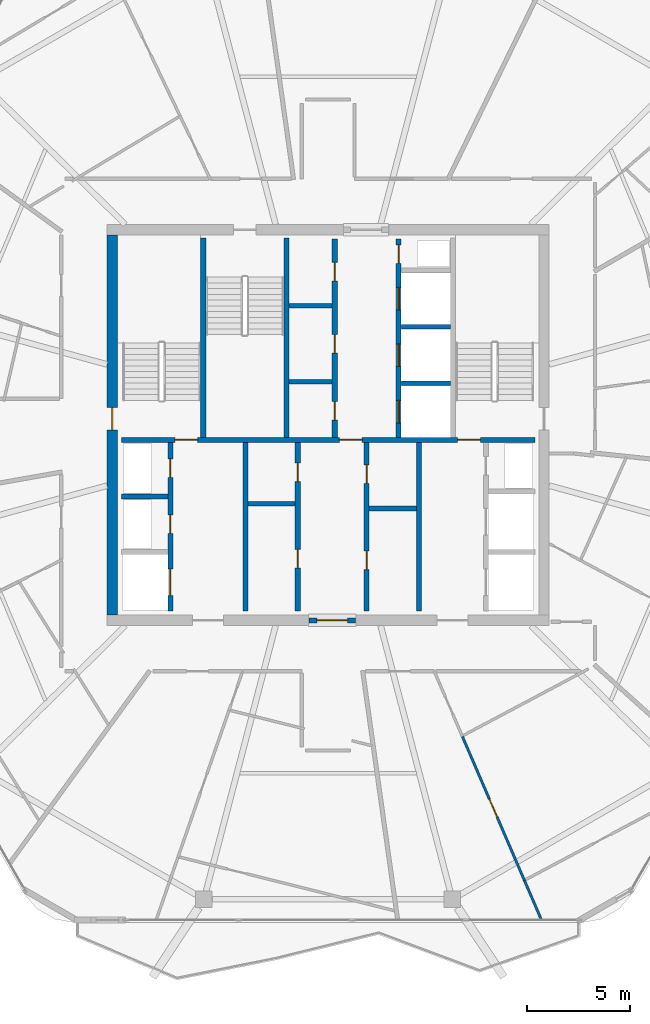
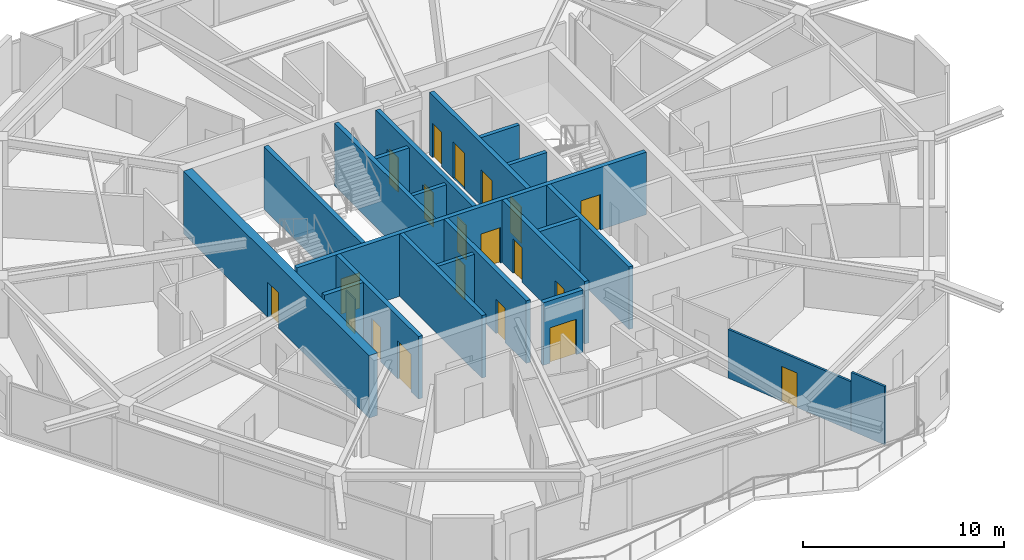
# One storey, part 15 of 20: 21 walls, 20 doors, 20 openings.
"""IFC4 building model written with IfcOpenShell, lengths in metres."""

from ifc_helpers import new_model, si_unit, direction, frame, frame_2d, origin, place, context, subcontext, project, spatial, rectangle, extrude, material, layer, layer_set, type_object, element, fill, save


model = new_model("IFC4")

# Units and contexts
model_context = context("Model", 3, precision=1e-05, world=origin(), true_north=direction((0.0, 1.0)))
body_context = subcontext(model_context, "Body", "Model", "MODEL_VIEW")
ifc_project = project(units=[si_unit("LENGTHUNIT", "METRE"), si_unit("AREAUNIT", "SQUARE_METRE"), si_unit("VOLUMEUNIT", "CUBIC_METRE"), si_unit("PLANEANGLEUNIT", "RADIAN"), si_unit("MASSUNIT", "GRAM", prefix="KILO")], contexts=[model_context])

# Site, building, storey
site_placement = place(None, origin())
site = spatial("IfcSite", under=ifc_project, at=site_placement, CompositionType="ELEMENT")
building_placement = place(site_placement, origin())
building = spatial("IfcBuilding", under=site, at=building_placement, Name="Zuhravey Tower", CompositionType="ELEMENT")
storey_placement = place(building_placement, frame((0.0, 0.0, 312.0)))
storey = spatial("IfcBuildingStorey", under=building, at=storey_placement, Name="L79", CompositionType="ELEMENT", Elevation=312.0)

# Wall, opening, door
ifc_material_1 = material(Name="Concrete C50/60", Category="concrete")
ifc_layer_1 = layer(ifc_material_1, 0.5)
ifc_layer_set_1 = layer_set([ifc_layer_1], Name="Concrete C50/60")
wall_type_1 = type_object("IfcWallType", Name="Core Shear Wall 500", PredefinedType="SHEAR", material=ifc_layer_set_1)
wall_1_placement = place(storey_placement, frame((25.5, 22.75, 0.0), z_axis=(0.0, 0.0, 1.0), x_axis=(0.0, 1.0, 0.0)))
wall_1 = element("IfcWall", 1, at=wall_1_placement, inside=storey, type_object=wall_type_1, Name="L79 West Core Shear Wall CW50", PredefinedType="SHEAR", context=body_context, shape_type="SweptSolid", body=[
    extrude(rectangle(XDim=18.5, YDim=0.5, at=frame_2d((9.25, 0.0))), origin(), (0.0, 0.0, 1.0), 3.800048828125),
])
opening_1_placement = place(wall_1_placement, frame((9.0, 0.0, 0.0)))
opening_1 = element("IfcOpeningElement", 2, at=opening_1_placement, cuts=wall_1, Name="Opening STD1", PredefinedType="OPENING", context=body_context, shape_type="SweptSolid", body=[
    extrude(rectangle(XDim=1.10009765625, YDim=2.14990234375, at=frame_2d((0.550048828125, 1.074951171875))), frame((0.0, 0.261962890625, 0.0), z_axis=(0.0, -1.0, 0.0), x_axis=(1.0, 0.0, 0.0)), (0.0, 0.0, 1.0), 0.52392578125),
])
ifc_material_2 = material(Name="Galvanised fire-rated steel leaf", Category="steel")
door_type_1 = type_object("IfcDoorType", Name="Protected Stair Fire Door 1100x2150", OperationType="NOTDEFINED", PredefinedType="USERDEFINED", material=ifc_material_2)
door_1_placement = place(opening_1_placement, frame((1.10009765625, 0.0, 0.0), z_axis=(0.0, 0.0, 1.0), x_axis=(-1.0, 0.0, 0.0)))
door_1 = element("IfcDoor", 3, at=door_1_placement, inside=storey, type_object=door_type_1, Name="L79 Stair ST1 Door", ObjectType="EXITDOOR", OperationType="SINGLE_SWING_LEFT", OverallHeight=2.14990234375, OverallWidth=1.10009765625, PredefinedType="USERDEFINED", context=body_context, shape_type="SweptSolid", body=[
    extrude(rectangle(XDim=1.10009765625, YDim=2.14990234375, at=frame_2d((0.550048828125, 1.074951171875))), frame((0.0, 0.02490234375, 0.0), z_axis=(0.0, -1.0, 0.0), x_axis=(1.0, 0.0, 0.0)), (0.0, 0.0, 1.0), 0.050048828125),
])
fill(opening_1, door_1)

ifc_layer_2 = layer(ifc_material_1, 0.25)
ifc_layer_set_2 = layer_set([ifc_layer_2], Name="Concrete C50/60")
wall_type_2 = type_object("IfcWallType", Name="Firefighting Shaft & Stair Wall 250", PredefinedType="SOLIDWALL", material=ifc_layer_set_2)
wall_2_placement = place(storey_placement, frame((35.06005859375, 22.5, 0.0), z_axis=(0.0, 0.0, 1.0), x_axis=(1.0, 0.0, 0.0)))
wall_2 = element("IfcWall", 4, at=wall_2_placement, inside=storey, type_object=wall_type_2, Name="L79 FW25 Shaft Wall 001", PredefinedType="SOLIDWALL", context=body_context, shape_type="SweptSolid", body=[
    extrude(rectangle(XDim=2.280029296875, YDim=0.25, at=frame_2d((1.14013671875, 0.0))), origin(), (0.0, 0.0, 1.0), 3.800048828125),
])
opening_2_placement = place(wall_2_placement, frame((0.389892578125, 0.0, 0.0)))
opening_2 = element("IfcOpeningElement", 5, at=opening_2_placement, cuts=wall_2, Name="Opening FFD1", PredefinedType="OPENING", context=body_context, shape_type="SweptSolid", body=[
    extrude(rectangle(XDim=1.5, YDim=2.14990234375, at=frame_2d((0.75, 1.074951171875))), frame((0.0, 0.136962890625, 0.0), z_axis=(0.0, -1.0, 0.0), x_axis=(1.0, 0.0, 0.0)), (0.0, 0.0, 1.0), 0.27392578125),
])
door_type_2 = type_object("IfcDoorType", Name="Firefighting Lobby Double Door 1500x2150", OperationType="DOUBLE_DOOR_SINGLE_SWING", PredefinedType="DOOR", material=ifc_material_2)
door_2_placement = place(opening_2_placement, frame((1.5, 0.0, 0.0), z_axis=(0.0, 0.0, 1.0), x_axis=(-1.0, 0.0, 0.0)))
door_2 = element("IfcDoor", 6, at=door_2_placement, inside=storey, type_object=door_type_2, Name="L79 South Lift Lobby Exit Door", OperationType="DOUBLE_DOOR_SINGLE_SWING", OverallHeight=2.14990234375, OverallWidth=1.5, PredefinedType="DOOR", context=body_context, shape_type="SweptSolid", body=[
    extrude(rectangle(XDim=1.5, YDim=2.14990234375, at=frame_2d((0.75, 1.074951171875))), frame((0.0, 0.02490234375, 0.0), z_axis=(0.0, -1.0, 0.0), x_axis=(1.0, 0.0, 0.0)), (0.0, 0.0, 1.0), 0.050048828125),
])
fill(opening_2, door_2)

# Wall, openings, doors
wall_3_placement = place(storey_placement, frame((25.949951171875, 31.27490234375, 0.0), z_axis=(0.0, 0.0, 1.0), x_axis=(1.0, 0.0, 0.0)))
wall_3 = element("IfcWall", 7, at=wall_3_placement, inside=storey, type_object=wall_type_2, Name="L79 FW25 Shaft Wall 003", PredefinedType="SOLIDWALL", context=body_context, shape_type="SweptSolid", body=[
    extrude(rectangle(XDim=20.10009765625, YDim=0.25, at=frame_2d((10.050048828125, 0.0))), origin(), (0.0, 0.0, 1.0), 3.800048828125),
])
opening_3_placement = place(wall_3_placement, frame((2.60009765625, 0.0, 0.0)))
opening_3 = element("IfcOpeningElement", 8, at=opening_3_placement, cuts=wall_3, Name="Opening STD1", PredefinedType="OPENING", context=body_context, shape_type="SweptSolid", body=[
    extrude(rectangle(XDim=1.10009765625, YDim=2.14990234375, at=frame_2d((0.550048828125, 1.074951171875))), frame((0.0, 0.136962890625, 0.0), z_axis=(0.0, -1.0, 0.0), x_axis=(1.0, 0.0, 0.0)), (0.0, 0.0, 1.0), 0.27392578125),
])
opening_4_placement = place(wall_3_placement, frame((10.60009765625, 0.0, 0.0)))
opening_4 = element("IfcOpeningElement", 9, at=opening_4_placement, cuts=wall_3, Name="Opening STD1", PredefinedType="OPENING", context=body_context, shape_type="SweptSolid", body=[
    extrude(rectangle(XDim=1.10009765625, YDim=2.14990234375, at=frame_2d((0.550048828125, 1.074951171875))), frame((0.0, 0.136962890625, 0.0), z_axis=(0.0, -1.0, 0.0), x_axis=(1.0, 0.0, 0.0)), (0.0, 0.0, 1.0), 0.27392578125),
])
opening_5_placement = place(wall_3_placement, frame((16.35009765625, 0.0, 0.0)))
opening_5 = element("IfcOpeningElement", 10, at=opening_5_placement, cuts=wall_3, Name="Opening STD1", PredefinedType="OPENING", context=body_context, shape_type="SweptSolid", body=[
    extrude(rectangle(XDim=1.10009765625, YDim=2.14990234375, at=frame_2d((0.550048828125, 1.074951171875))), frame((0.0, 0.136962890625, 0.0), z_axis=(0.0, -1.0, 0.0), x_axis=(1.0, 0.0, 0.0)), (0.0, 0.0, 1.0), 0.27392578125),
])
door_3_placement = place(opening_3_placement, origin())
door_3 = element("IfcDoor", 11, at=door_3_placement, inside=storey, type_object=door_type_1, Name="L79 FFL-W to ST1 Door", ObjectType="EXITDOOR", OperationType="SINGLE_SWING_RIGHT", OverallHeight=2.14990234375, OverallWidth=1.10009765625, PredefinedType="USERDEFINED", context=body_context, shape_type="SweptSolid", body=[
    extrude(rectangle(XDim=1.10009765625, YDim=2.14990234375, at=frame_2d((0.550048828125, 1.074951171875))), frame((0.0, 0.02490234375, 0.0), z_axis=(0.0, -1.0, 0.0), x_axis=(1.0, 0.0, 0.0)), (0.0, 0.0, 1.0), 0.050048828125),
])
fill(opening_3, door_3)
door_4_placement = place(opening_4_placement, origin())
door_4 = element("IfcDoor", 12, at=door_4_placement, inside=storey, type_object=door_type_1, Name="L79 Core Lobby Link Door", ObjectType="EXITDOOR", OperationType="SINGLE_SWING_LEFT", OverallHeight=2.14990234375, OverallWidth=1.10009765625, PredefinedType="USERDEFINED", context=body_context, shape_type="SweptSolid", body=[
    extrude(rectangle(XDim=1.10009765625, YDim=2.14990234375, at=frame_2d((0.550048828125, 1.074951171875))), frame((0.0, 0.02490234375, 0.0), z_axis=(0.0, -1.0, 0.0), x_axis=(1.0, 0.0, 0.0)), (0.0, 0.0, 1.0), 0.050048828125),
])
fill(opening_4, door_4)
door_5_placement = place(opening_5_placement, origin())
door_5 = element("IfcDoor", 13, at=door_5_placement, inside=storey, type_object=door_type_1, Name="L79 FFL-E to ST2 Door", ObjectType="EXITDOOR", OperationType="SINGLE_SWING_RIGHT", OverallHeight=2.14990234375, OverallWidth=1.10009765625, PredefinedType="USERDEFINED", context=body_context, shape_type="SweptSolid", body=[
    extrude(rectangle(XDim=1.10009765625, YDim=2.14990234375, at=frame_2d((0.550048828125, 1.074951171875))), frame((0.0, 0.02490234375, 0.0), z_axis=(0.0, -1.0, 0.0), x_axis=(1.0, 0.0, 0.0)), (0.0, 0.0, 1.0), 0.050048828125),
])
fill(opening_5, door_5)

# Walls
for number, where, z_axis, x_axis, name in (
    (14, (29.925048828125, 31.39990234375, 0.0), (0.0, 0.0, 1.0), (0.0, 1.0, 0.0), "L79 FW25 Shaft Wall 004"),
    (15, (33.97509765625, 31.39990234375, 0.0), (0.0, 0.0, 1.0), (0.0, 1.0, 0.0), "L79 FW25 Shaft Wall 005"),
):
    element("IfcWall", number, at=place(storey_placement, frame(where, z_axis=z_axis, x_axis=x_axis)), inside=storey, type_object=wall_type_2, Name=name, PredefinedType="SOLIDWALL", context=body_context, shape_type="SweptSolid", body=[
        extrude(rectangle(XDim=9.7001953125, YDim=0.25, at=frame_2d((4.85009765625, 0.0))), origin(), (0.0, 0.0, 1.0), 3.800048828125),
    ])

# Wall, openings, doors
wall_4_placement = place(storey_placement, frame((36.324951171875, 31.39990234375, 0.0), z_axis=(0.0, 0.0, 1.0), x_axis=(0.0, 1.0, 0.0)))
wall_4 = element("IfcWall", 16, at=wall_4_placement, inside=storey, type_object=wall_type_2, Name="L79 FW25 Shaft Wall 007", PredefinedType="SOLIDWALL", context=body_context, shape_type="SweptSolid", body=[
    extrude(rectangle(XDim=9.650146484375, YDim=0.25, at=frame_2d((4.8251953125, 0.0))), origin(), (0.0, 0.0, 1.0), 3.800048828125),
])
opening_6_placement = place(wall_4_placement, frame((0.840087890625, 0.0, 0.0)))
opening_6 = element("IfcOpeningElement", 17, at=opening_6_placement, cuts=wall_4, Name="Opening RSD1", PredefinedType="OPENING", context=body_context, shape_type="SweptSolid", body=[
    extrude(rectangle(XDim=0.89990234375, YDim=2.10009765625, at=frame_2d((0.449951171875, 1.050048828125))), frame((0.0, 0.136962890625, 0.0), z_axis=(0.0, -1.0, 0.0), x_axis=(1.0, 0.0, 0.0)), (0.0, 0.0, 1.0), 0.27392578125),
])
opening_7_placement = place(wall_4_placement, frame((4.10009765625, 0.0, 0.0)))
opening_7 = element("IfcOpeningElement", 18, at=opening_7_placement, cuts=wall_4, Name="Opening RSD1", PredefinedType="OPENING", context=body_context, shape_type="SweptSolid", body=[
    extrude(rectangle(XDim=0.89990234375, YDim=2.10009765625, at=frame_2d((0.449951171875, 1.050048828125))), frame((0.0, 0.136962890625, 0.0), z_axis=(0.0, -1.0, 0.0), x_axis=(1.0, 0.0, 0.0)), (0.0, 0.0, 1.0), 0.27392578125),
])
opening_8_placement = place(wall_4_placement, frame((7.610107421875, 0.0, 0.0)))
opening_8 = element("IfcOpeningElement", 19, at=opening_8_placement, cuts=wall_4, Name="Opening RSD1", PredefinedType="OPENING", context=body_context, shape_type="SweptSolid", body=[
    extrude(rectangle(XDim=0.89990234375, YDim=2.10009765625, at=frame_2d((0.449951171875, 1.050048828125))), frame((0.0, 0.136962890625, 0.0), z_axis=(0.0, -1.0, 0.0), x_axis=(1.0, 0.0, 0.0)), (0.0, 0.0, 1.0), 0.27392578125),
])
ifc_material_3 = material(Name="Galvanised fire-rated steel access leaf", Category="steel")
door_type_3 = type_object("IfcDoorType", Name="Riser & Shaft Access Fire Door 900x2100", OperationType="NOTDEFINED", PredefinedType="DOOR", material=ifc_material_3)
door_6_placement = place(opening_6_placement, origin())
door_6 = element("IfcDoor", 20, at=door_6_placement, inside=storey, type_object=door_type_3, Name="L79 Core Staff WC Door", OperationType="SINGLE_SWING_LEFT", OverallHeight=2.10009765625, OverallWidth=0.89990234375, PredefinedType="DOOR", context=body_context, shape_type="SweptSolid", body=[
    extrude(rectangle(XDim=0.89990234375, YDim=2.10009765625, at=frame_2d((0.449951171875, 1.050048828125))), frame((0.0, 0.02490234375, 0.0), z_axis=(0.0, -1.0, 0.0), x_axis=(1.0, 0.0, 0.0)), (0.0, 0.0, 1.0), 0.050048828125),
])
fill(opening_6, door_6)
door_7_placement = place(opening_7_placement, origin())
door_7 = element("IfcDoor", 21, at=door_7_placement, inside=storey, type_object=door_type_3, Name="L79 IT and Comms Room Door", OperationType="SINGLE_SWING_RIGHT", OverallHeight=2.10009765625, OverallWidth=0.89990234375, PredefinedType="DOOR", context=body_context, shape_type="SweptSolid", body=[
    extrude(rectangle(XDim=0.89990234375, YDim=2.10009765625, at=frame_2d((0.449951171875, 1.050048828125))), frame((0.0, 0.02490234375, 0.0), z_axis=(0.0, -1.0, 0.0), x_axis=(1.0, 0.0, 0.0)), (0.0, 0.0, 1.0), 0.050048828125),
])
fill(opening_7, door_7)
door_8_placement = place(opening_8_placement, origin())
door_8 = element("IfcDoor", 22, at=door_8_placement, inside=storey, type_object=door_type_3, Name="L79 Janitor Linen Store Door", OperationType="SINGLE_SWING_LEFT", OverallHeight=2.10009765625, OverallWidth=0.89990234375, PredefinedType="DOOR", context=body_context, shape_type="SweptSolid", body=[
    extrude(rectangle(XDim=0.89990234375, YDim=2.10009765625, at=frame_2d((0.449951171875, 1.050048828125))), frame((0.0, 0.02490234375, 0.0), z_axis=(0.0, -1.0, 0.0), x_axis=(1.0, 0.0, 0.0)), (0.0, 0.0, 1.0), 0.050048828125),
])
fill(opening_8, door_8)

wall_5_placement = place(storey_placement, frame((39.425048828125, 31.39990234375, 0.0), z_axis=(0.0, 0.0, 1.0), x_axis=(0.0, 1.0, 0.0)))
wall_5 = element("IfcWall", 23, at=wall_5_placement, inside=storey, type_object=wall_type_2, Name="L79 FW25 Shaft Wall 008", PredefinedType="SOLIDWALL", context=body_context, shape_type="SweptSolid", body=[
    extrude(rectangle(XDim=9.650146484375, YDim=0.25, at=frame_2d((4.8251953125, 0.0))), origin(), (0.0, 0.0, 1.0), 3.800048828125),
])
opening_9_placement = place(wall_5_placement, frame((0.699951171875, 0.0, 0.0)))
opening_9 = element("IfcOpeningElement", 24, at=opening_9_placement, cuts=wall_5, Name="Opening LD1", PredefinedType="OPENING", context=body_context, shape_type="SweptSolid", body=[
    extrude(rectangle(XDim=1.10009765625, YDim=2.199951171875, at=frame_2d((0.550048828125, 1.10009765625))), frame((0.0, 0.136962890625, 0.0), z_axis=(0.0, -1.0, 0.0), x_axis=(1.0, 0.0, 0.0)), (0.0, 0.0, 1.0), 0.27392578125),
])
opening_10_placement = place(wall_5_placement, frame((3.449951171875, 0.0, 0.0)))
opening_10 = element("IfcOpeningElement", 25, at=opening_10_placement, cuts=wall_5, Name="Opening LD1", PredefinedType="OPENING", context=body_context, shape_type="SweptSolid", body=[
    extrude(rectangle(XDim=1.10009765625, YDim=2.199951171875, at=frame_2d((0.550048828125, 1.10009765625))), frame((0.0, 0.136962890625, 0.0), z_axis=(0.0, -1.0, 0.0), x_axis=(1.0, 0.0, 0.0)), (0.0, 0.0, 1.0), 0.27392578125),
])
opening_11_placement = place(wall_5_placement, frame((6.199951171875, 0.0, 0.0)))
opening_11 = element("IfcOpeningElement", 26, at=opening_11_placement, cuts=wall_5, Name="Opening LD1", PredefinedType="OPENING", context=body_context, shape_type="SweptSolid", body=[
    extrude(rectangle(XDim=1.10009765625, YDim=2.199951171875, at=frame_2d((0.550048828125, 1.10009765625))), frame((0.0, 0.136962890625, 0.0), z_axis=(0.0, -1.0, 0.0), x_axis=(1.0, 0.0, 0.0)), (0.0, 0.0, 1.0), 0.27392578125),
])
opening_12_placement = place(wall_5_placement, frame((8.469970703125, 0.0, 0.0)))
opening_12 = element("IfcOpeningElement", 27, at=opening_12_placement, cuts=wall_5, Name="Opening RSD1", PredefinedType="OPENING", context=body_context, shape_type="SweptSolid", body=[
    extrude(rectangle(XDim=0.89990234375, YDim=2.10009765625, at=frame_2d((0.449951171875, 1.050048828125))), frame((0.0, 0.136962890625, 0.0), z_axis=(0.0, -1.0, 0.0), x_axis=(1.0, 0.0, 0.0)), (0.0, 0.0, 1.0), 0.27392578125),
])
ifc_material_4 = material(Name="Brushed stainless steel", Category="steel")
door_type_4 = type_object("IfcDoorType", Name="Lift Landing Sliding Door 1100x2200", OperationType="DOUBLE_DOOR_SLIDING", PredefinedType="DOOR", material=ifc_material_4)
door_9_placement = place(opening_9_placement, origin())
door_9 = element("IfcDoor", 28, at=door_9_placement, inside=storey, type_object=door_type_4, Name="L79 Lift PL7 Landing Door", OperationType="DOUBLE_DOOR_SLIDING", OverallHeight=2.199951171875, OverallWidth=1.10009765625, PredefinedType="DOOR", context=body_context, shape_type="SweptSolid", body=[
    extrude(rectangle(XDim=1.10009765625, YDim=2.199951171875, at=frame_2d((0.550048828125, 1.10009765625))), frame((0.0, 0.02490234375, 0.0), z_axis=(0.0, -1.0, 0.0), x_axis=(1.0, 0.0, 0.0)), (0.0, 0.0, 1.0), 0.050048828125),
])
fill(opening_9, door_9)
door_10_placement = place(opening_10_placement, origin())
door_10 = element("IfcDoor", 29, at=door_10_placement, inside=storey, type_object=door_type_4, Name="L79 Lift PL8 Landing Door", OperationType="DOUBLE_DOOR_SLIDING", OverallHeight=2.199951171875, OverallWidth=1.10009765625, PredefinedType="DOOR", context=body_context, shape_type="SweptSolid", body=[
    extrude(rectangle(XDim=1.10009765625, YDim=2.199951171875, at=frame_2d((0.550048828125, 1.10009765625))), frame((0.0, 0.02490234375, 0.0), z_axis=(0.0, -1.0, 0.0), x_axis=(1.0, 0.0, 0.0)), (0.0, 0.0, 1.0), 0.050048828125),
])
fill(opening_10, door_10)
door_11_placement = place(opening_11_placement, origin())
door_11 = element("IfcDoor", 30, at=door_11_placement, inside=storey, type_object=door_type_4, Name="L79 Lift PL9 Landing Door", OperationType="DOUBLE_DOOR_SLIDING", OverallHeight=2.199951171875, OverallWidth=1.10009765625, PredefinedType="DOOR", context=body_context, shape_type="SweptSolid", body=[
    extrude(rectangle(XDim=1.10009765625, YDim=2.199951171875, at=frame_2d((0.550048828125, 1.10009765625))), frame((0.0, 0.02490234375, 0.0), z_axis=(0.0, -1.0, 0.0), x_axis=(1.0, 0.0, 0.0)), (0.0, 0.0, 1.0), 0.050048828125),
])
fill(opening_11, door_11)
door_12_placement = place(opening_12_placement, origin())
door_12 = element("IfcDoor", 31, at=door_12_placement, inside=storey, type_object=door_type_3, Name="L79 North Riser Door", OperationType="SINGLE_SWING_RIGHT", OverallHeight=2.10009765625, OverallWidth=0.89990234375, PredefinedType="DOOR", context=body_context, shape_type="SweptSolid", body=[
    extrude(rectangle(XDim=0.89990234375, YDim=2.10009765625, at=frame_2d((0.449951171875, 1.050048828125))), frame((0.0, 0.02490234375, 0.0), z_axis=(0.0, -1.0, 0.0), x_axis=(1.0, 0.0, 0.0)), (0.0, 0.0, 1.0), 0.050048828125),
])
fill(opening_12, door_12)

# Wall
wall_6_placement = place(storey_placement, frame((25.949951171875, 28.52490234375, 0.0), z_axis=(0.0, 0.0, 1.0), x_axis=(1.0, 0.0, 0.0)))
element("IfcWall", 32, at=wall_6_placement, inside=storey, type_object=wall_type_2, Name="L79 FW25 Shaft Wall 010", PredefinedType="SOLIDWALL", context=body_context, shape_type="SweptSolid", body=[
    extrude(rectangle(XDim=2.25, YDim=0.25, at=frame_2d((1.125, 0.0))), origin(), (0.0, 0.0, 1.0), 3.800048828125),
])

# Wall, openings, doors
wall_7_placement = place(storey_placement, frame((28.324951171875, 22.949951171875, 0.0), z_axis=(0.0, 0.0, 1.0), x_axis=(0.0, 1.0, 0.0)))
wall_7 = element("IfcWall", 33, at=wall_7_placement, inside=storey, type_object=wall_type_2, Name="L79 FW25 Shaft Wall 011", PredefinedType="SOLIDWALL", context=body_context, shape_type="SweptSolid", body=[
    extrude(rectangle(XDim=8.199951171875, YDim=0.25, at=frame_2d((4.10009765625, 0.0))), origin(), (0.0, 0.0, 1.0), 3.800048828125),
])
opening_13_placement = place(wall_7_placement, frame((0.75, 0.0, 0.0)))
opening_13 = element("IfcOpeningElement", 34, at=opening_13_placement, cuts=wall_7, Name="Opening LD2", PredefinedType="OPENING", context=body_context, shape_type="SweptSolid", body=[
    extrude(rectangle(XDim=1.300048828125, YDim=2.300048828125, at=frame_2d((0.64990234375, 1.14990234375))), frame((0.0, 0.136962890625, 0.0), z_axis=(0.0, -1.0, 0.0), x_axis=(1.0, 0.0, 0.0)), (0.0, 0.0, 1.0), 0.27392578125),
])
opening_14_placement = place(wall_7_placement, frame((3.780029296875, 0.0, 0.0)))
opening_14 = element("IfcOpeningElement", 35, at=opening_14_placement, cuts=wall_7, Name="Opening RSD1", PredefinedType="OPENING", context=body_context, shape_type="SweptSolid", body=[
    extrude(rectangle(XDim=0.89990234375, YDim=2.10009765625, at=frame_2d((0.449951171875, 1.050048828125))), frame((0.0, 0.136962890625, 0.0), z_axis=(0.0, -1.0, 0.0), x_axis=(1.0, 0.0, 0.0)), (0.0, 0.0, 1.0), 0.27392578125),
])
opening_15_placement = place(wall_7_placement, frame((6.5, 0.0, 0.0)))
opening_15 = element("IfcOpeningElement", 36, at=opening_15_placement, cuts=wall_7, Name="Opening RSD1", PredefinedType="OPENING", context=body_context, shape_type="SweptSolid", body=[
    extrude(rectangle(XDim=0.89990234375, YDim=2.10009765625, at=frame_2d((0.449951171875, 1.050048828125))), frame((0.0, 0.136962890625, 0.0), z_axis=(0.0, -1.0, 0.0), x_axis=(1.0, 0.0, 0.0)), (0.0, 0.0, 1.0), 0.27392578125),
])
door_type_5 = type_object("IfcDoorType", Name="Freight & Stretcher Lift Sliding Door 1300x2300", OperationType="DOUBLE_DOOR_SLIDING", PredefinedType="DOOR", material=ifc_material_4)
door_13_placement = place(opening_13_placement, frame((1.300048828125, 0.0, 0.0), z_axis=(0.0, 0.0, 1.0), x_axis=(-1.0, 0.0, 0.0)))
door_13 = element("IfcDoor", 37, at=door_13_placement, inside=storey, type_object=door_type_5, Name="L79 Lift FF1 Landing Door", OperationType="DOUBLE_DOOR_SLIDING", OverallHeight=2.300048828125, OverallWidth=1.300048828125, PredefinedType="DOOR", context=body_context, shape_type="SweptSolid", body=[
    extrude(rectangle(XDim=1.300048828125, YDim=2.300048828125, at=frame_2d((0.64990234375, 1.14990234375))), frame((0.0, 0.02490234375, 0.0), z_axis=(0.0, -1.0, 0.0), x_axis=(1.0, 0.0, 0.0)), (0.0, 0.0, 1.0), 0.050048828125),
])
fill(opening_13, door_13)
door_14_placement = place(opening_14_placement, frame((0.89990234375, 0.0, 0.0), z_axis=(0.0, 0.0, 1.0), x_axis=(-1.0, 0.0, 0.0)))
door_14 = element("IfcDoor", 38, at=door_14_placement, inside=storey, type_object=door_type_3, Name="L79 Electrical Riser Door", OperationType="SINGLE_SWING_LEFT", OverallHeight=2.10009765625, OverallWidth=0.89990234375, PredefinedType="DOOR", context=body_context, shape_type="SweptSolid", body=[
    extrude(rectangle(XDim=0.89990234375, YDim=2.10009765625, at=frame_2d((0.449951171875, 1.050048828125))), frame((0.0, 0.02490234375, 0.0), z_axis=(0.0, -1.0, 0.0), x_axis=(1.0, 0.0, 0.0)), (0.0, 0.0, 1.0), 0.050048828125),
])
fill(opening_14, door_14)
door_15_placement = place(opening_15_placement, frame((0.89990234375, 0.0, 0.0), z_axis=(0.0, 0.0, 1.0), x_axis=(-1.0, 0.0, 0.0)))
door_15 = element("IfcDoor", 39, at=door_15_placement, inside=storey, type_object=door_type_3, Name="L79 Smoke Shaft Access Door", OperationType="SINGLE_SWING_RIGHT", OverallHeight=2.10009765625, OverallWidth=0.89990234375, PredefinedType="DOOR", context=body_context, shape_type="SweptSolid", body=[
    extrude(rectangle(XDim=0.89990234375, YDim=2.10009765625, at=frame_2d((0.449951171875, 1.050048828125))), frame((0.0, 0.02490234375, 0.0), z_axis=(0.0, -1.0, 0.0), x_axis=(1.0, 0.0, 0.0)), (0.0, 0.0, 1.0), 0.050048828125),
])
fill(opening_15, door_15)

# Wall
wall_8_placement = place(storey_placement, frame((31.97509765625, 22.949951171875, 0.0), z_axis=(0.0, 0.0, 1.0), x_axis=(0.0, 1.0, 0.0)))
element("IfcWall", 40, at=wall_8_placement, inside=storey, type_object=wall_type_2, Name="L79 FW25 Shaft Wall 012", PredefinedType="SOLIDWALL", context=body_context, shape_type="SweptSolid", body=[
    extrude(rectangle(XDim=8.199951171875, YDim=0.25, at=frame_2d((4.10009765625, 0.0))), origin(), (0.0, 0.0, 1.0), 3.800048828125),
])

# Wall, openings, doors
wall_9_placement = place(storey_placement, frame((34.52490234375, 22.949951171875, 0.0), z_axis=(0.0, 0.0, 1.0), x_axis=(0.0, 1.0, 0.0)))
wall_9 = element("IfcWall", 41, at=wall_9_placement, inside=storey, type_object=wall_type_2, Name="L79 FW25 Shaft Wall 013", PredefinedType="SOLIDWALL", context=body_context, shape_type="SweptSolid", body=[
    extrude(rectangle(XDim=8.199951171875, YDim=0.25, at=frame_2d((4.10009765625, 0.0))), origin(), (0.0, 0.0, 1.0), 3.800048828125),
])
opening_16_placement = place(wall_9_placement, frame((2.10009765625, 0.0, 0.0)))
opening_16 = element("IfcOpeningElement", 42, at=opening_16_placement, cuts=wall_9, Name="Opening RSD1", PredefinedType="OPENING", context=body_context, shape_type="SweptSolid", body=[
    extrude(rectangle(XDim=0.89990234375, YDim=2.10009765625, at=frame_2d((0.449951171875, 1.050048828125))), frame((0.0, 0.136962890625, 0.0), z_axis=(0.0, -1.0, 0.0), x_axis=(1.0, 0.0, 0.0)), (0.0, 0.0, 1.0), 0.27392578125),
])
opening_17_placement = place(wall_9_placement, frame((6.300048828125, 0.0, 0.0)))
opening_17 = element("IfcOpeningElement", 43, at=opening_17_placement, cuts=wall_9, Name="Opening RSD1", PredefinedType="OPENING", context=body_context, shape_type="SweptSolid", body=[
    extrude(rectangle(XDim=0.89990234375, YDim=2.10009765625, at=frame_2d((0.449951171875, 1.050048828125))), frame((0.0, 0.136962890625, 0.0), z_axis=(0.0, -1.0, 0.0), x_axis=(1.0, 0.0, 0.0)), (0.0, 0.0, 1.0), 0.27392578125),
])
door_16_placement = place(opening_16_placement, origin())
door_16 = element("IfcDoor", 44, at=door_16_placement, inside=storey, type_object=door_type_3, Name="L79 Housekeeping Store Door", OperationType="SINGLE_SWING_LEFT", OverallHeight=2.10009765625, OverallWidth=0.89990234375, PredefinedType="DOOR", context=body_context, shape_type="SweptSolid", body=[
    extrude(rectangle(XDim=0.89990234375, YDim=2.10009765625, at=frame_2d((0.449951171875, 1.050048828125))), frame((0.0, 0.02490234375, 0.0), z_axis=(0.0, -1.0, 0.0), x_axis=(1.0, 0.0, 0.0)), (0.0, 0.0, 1.0), 0.050048828125),
])
fill(opening_16, door_16)
door_17_placement = place(opening_17_placement, origin())
door_17 = element("IfcDoor", 45, at=door_17_placement, inside=storey, type_object=door_type_3, Name="L79 Comms Closet Door", OperationType="SINGLE_SWING_RIGHT", OverallHeight=2.10009765625, OverallWidth=0.89990234375, PredefinedType="DOOR", context=body_context, shape_type="SweptSolid", body=[
    extrude(rectangle(XDim=0.89990234375, YDim=2.10009765625, at=frame_2d((0.449951171875, 1.050048828125))), frame((0.0, 0.02490234375, 0.0), z_axis=(0.0, -1.0, 0.0), x_axis=(1.0, 0.0, 0.0)), (0.0, 0.0, 1.0), 0.050048828125),
])
fill(opening_17, door_17)

# Wall
wall_10_placement = place(storey_placement, frame((38.0, 27.949951171875, 0.0), z_axis=(0.0, 0.0, 1.0), x_axis=(1.0, 0.0, 0.0)))
element("IfcWall", 46, at=wall_10_placement, inside=storey, type_object=wall_type_2, Name="L79 FW25 Shaft Wall 014", PredefinedType="SOLIDWALL", context=body_context, shape_type="SweptSolid", body=[
    extrude(rectangle(XDim=2.300048828125, YDim=0.25, at=frame_2d((1.14990234375, 0.0))), origin(), (0.0, 0.0, 1.0), 3.800048828125),
])

# Wall, openings, doors
wall_11_placement = place(storey_placement, frame((37.875, 22.949951171875, 0.0), z_axis=(0.0, 0.0, 1.0), x_axis=(0.0, 1.0, 0.0)))
wall_11 = element("IfcWall", 47, at=wall_11_placement, inside=storey, type_object=wall_type_2, Name="L79 FW25 Shaft Wall 015", PredefinedType="SOLIDWALL", context=body_context, shape_type="SweptSolid", body=[
    extrude(rectangle(XDim=8.199951171875, YDim=0.25, at=frame_2d((4.10009765625, 0.0))), origin(), (0.0, 0.0, 1.0), 3.800048828125),
])
opening_18_placement = place(wall_11_placement, frame((2.012451171875, 0.0, 0.0)))
opening_18 = element("IfcOpeningElement", 48, at=opening_18_placement, cuts=wall_11, Name="Opening RSD1", PredefinedType="OPENING", context=body_context, shape_type="SweptSolid", body=[
    extrude(rectangle(XDim=0.89990234375, YDim=2.10009765625, at=frame_2d((0.449951171875, 1.050048828125))), frame((0.0, 0.136962890625, 0.0), z_axis=(0.0, -1.0, 0.0), x_axis=(1.0, 0.0, 0.0)), (0.0, 0.0, 1.0), 0.27392578125),
])
opening_19_placement = place(wall_11_placement, frame((6.21240234375, 0.0, 0.0)))
opening_19 = element("IfcOpeningElement", 49, at=opening_19_placement, cuts=wall_11, Name="Opening RSD1", PredefinedType="OPENING", context=body_context, shape_type="SweptSolid", body=[
    extrude(rectangle(XDim=0.89990234375, YDim=2.10009765625, at=frame_2d((0.449951171875, 1.050048828125))), frame((0.0, 0.136962890625, 0.0), z_axis=(0.0, -1.0, 0.0), x_axis=(1.0, 0.0, 0.0)), (0.0, 0.0, 1.0), 0.27392578125),
])
door_18_placement = place(opening_18_placement, frame((0.89990234375, 0.0, 0.0), z_axis=(0.0, 0.0, 1.0), x_axis=(-1.0, 0.0, 0.0)))
door_18 = element("IfcDoor", 50, at=door_18_placement, inside=storey, type_object=door_type_3, Name="L79 Trunk Store Door", OperationType="SINGLE_SWING_LEFT", OverallHeight=2.10009765625, OverallWidth=0.89990234375, PredefinedType="DOOR", context=body_context, shape_type="SweptSolid", body=[
    extrude(rectangle(XDim=0.89990234375, YDim=2.10009765625, at=frame_2d((0.449951171875, 1.050048828125))), frame((0.0, 0.02490234375, 0.0), z_axis=(0.0, -1.0, 0.0), x_axis=(1.0, 0.0, 0.0)), (0.0, 0.0, 1.0), 0.050048828125),
])
fill(opening_18, door_18)
door_19_placement = place(opening_19_placement, frame((0.89990234375, 0.0, 0.0), z_axis=(0.0, 0.0, 1.0), x_axis=(-1.0, 0.0, 0.0)))
door_19 = element("IfcDoor", 51, at=door_19_placement, inside=storey, type_object=door_type_3, Name="L79 Fiber Room Door", OperationType="SINGLE_SWING_RIGHT", OverallHeight=2.10009765625, OverallWidth=0.89990234375, PredefinedType="DOOR", context=body_context, shape_type="SweptSolid", body=[
    extrude(rectangle(XDim=0.89990234375, YDim=2.10009765625, at=frame_2d((0.449951171875, 1.050048828125))), frame((0.0, 0.02490234375, 0.0), z_axis=(0.0, -1.0, 0.0), x_axis=(1.0, 0.0, 0.0)), (0.0, 0.0, 1.0), 0.050048828125),
])
fill(opening_19, door_19)

# Walls
wall_12_placement = place(storey_placement, frame((40.425048828125, 22.949951171875, 0.0), z_axis=(0.0, 0.0, 1.0), x_axis=(0.0, 1.0, 0.0)))
element("IfcWall", 52, at=wall_12_placement, inside=storey, type_object=wall_type_2, Name="L79 FW25 Shaft Wall 016", PredefinedType="SOLIDWALL", context=body_context, shape_type="SweptSolid", body=[
    extrude(rectangle(XDim=8.199951171875, YDim=0.25, at=frame_2d((4.10009765625, 0.0))), origin(), (0.0, 0.0, 1.0), 3.800048828125),
])
ifc_material_5 = material(Name="Gypsum acoustic stud assembly")
ifc_layer_3 = layer(ifc_material_5, 0.219970703125)
ifc_layer_set_3 = layer_set([ifc_layer_3], Name="Gypsum acoustic stud assembly")
wall_type_3 = type_object("IfcWallType", Name="School Acoustic Compartment Wall 220", PredefinedType="PARTITIONING", material=ifc_layer_set_3)
for number, where, z_axis, x_axis, name in (
    (53, (34.10791015625, 34.10009765625, 0.0), (0.0, 0.0, 1.0), (1.0, 0.0, 0.0), "L79 IW22 Partition 052"),
    (54, (34.10791015625, 37.800048828125, 0.0), (0.0, 0.0, 1.0), (1.0, 0.0, 0.0), "L79 IW22 Partition 053"),
):
    element("IfcWall", number, at=place(storey_placement, frame(where, z_axis=z_axis, x_axis=x_axis)), inside=storey, type_object=wall_type_3, Name=name, PredefinedType="PARTITIONING", context=body_context, shape_type="SweptSolid", body=[
        extrude(rectangle(XDim=2.083984375, YDim=0.219970703125, at=frame_2d((1.0419921875, 0.0))), origin(), (0.0, 0.0, 1.0), 3.550048828125),
    ])
for number, where, z_axis, x_axis, name in (
    (55, (39.55810546875, 34.02490234375, 0.0), (0.0, 0.0, 1.0), (1.0, 0.0, 0.0), "L79 IW22 Partition 054"),
    (56, (39.55810546875, 36.77490234375, 0.0), (0.0, 0.0, 1.0), (1.0, 0.0, 0.0), "L79 IW22 Partition 055"),
):
    element("IfcWall", number, at=place(storey_placement, frame(where, z_axis=z_axis, x_axis=x_axis)), inside=storey, type_object=wall_type_3, Name=name, PredefinedType="PARTITIONING", context=body_context, shape_type="SweptSolid", body=[
        extrude(rectangle(XDim=2.3837890625, YDim=0.219970703125, at=frame_2d((1.19189453125, 0.0))), origin(), (0.0, 0.0, 1.0), 3.550048828125),
    ])
wall_13_placement = place(storey_placement, frame((32.10791015625, 28.175048828125, 0.0), z_axis=(0.0, 0.0, 1.0), x_axis=(1.0, 0.0, 0.0)))
element("IfcWall", 57, at=wall_13_placement, inside=storey, type_object=wall_type_3, Name="L79 IW22 Partition 057", PredefinedType="PARTITIONING", context=body_context, shape_type="SweptSolid", body=[
    extrude(rectangle(XDim=2.2841796875, YDim=0.219970703125, at=frame_2d((1.14208984375, 0.0))), origin(), (0.0, 0.0, 1.0), 3.550048828125),
])

# Wall, opening, door
ifc_material_6 = material(Name="Gypsum metal-stud partition")
ifc_layer_4 = layer(ifc_material_6, 0.1201171875)
ifc_layer_set_4 = layer_set([ifc_layer_4], Name="Gypsum metal-stud partition")
wall_type_4 = type_object("IfcWallType", Name="Unit Internal Partition 120", PredefinedType="PARTITIONING", material=ifc_layer_set_4)
wall_14_placement = place(storey_placement, frame((42.530517578125, 16.850830078125, 0.0), z_axis=(0.0, 0.0, 1.0), x_axis=(0.39587300587, -0.918305266904, 0.0)))
wall_14 = element("IfcWall", 58, at=wall_14_placement, inside=storey, type_object=wall_type_4, Name="L79 IW12 Partition 037", PredefinedType="PARTITIONING", context=body_context, shape_type="SweptSolid", body=[
    extrude(rectangle(XDim=7.642822265625, YDim=0.1201171875, at=frame_2d((3.8212890625, 0.0))), origin(), (0.0, 0.0, 1.0), 2.969970703125),
])
opening_20_placement = place(wall_14_placement, frame((3.321533203125, 0.0, 0.0)))
opening_20 = element("IfcOpeningElement", 59, at=opening_20_placement, cuts=wall_14, Name="Opening IND1", PredefinedType="OPENING", context=body_context, shape_type="SweptSolid", body=[
    extrude(rectangle(XDim=0.949951171875, YDim=2.10009765625, at=frame_2d((0.47509765625, 1.050048828125))), frame((0.0, 0.072021484375, 0.0), z_axis=(0.0, -1.0, 0.0), x_axis=(1.0, 0.0, 0.0)), (0.0, 0.0, 1.0), 0.14404296875),
])
ifc_material_7 = material(Name="Painted engineered timber leaf", Category="wood")
door_type_6 = type_object("IfcDoorType", Name="Internal Room & Bedroom Door 950x2100", OperationType="NOTDEFINED", PredefinedType="DOOR", material=ifc_material_7)
door_20_placement = place(opening_20_placement, origin())
door_20 = element("IfcDoor", 60, at=door_20_placement, inside=storey, type_object=door_type_6, Name="Apartment L79-05 Home Office Door", OperationType="SINGLE_SWING_LEFT", OverallHeight=2.10009765625, OverallWidth=0.949951171875, PredefinedType="DOOR", context=body_context, shape_type="SweptSolid", body=[
    extrude(rectangle(XDim=0.949951171875, YDim=2.10009765625, at=frame_2d((0.47509765625, 1.050048828125))), frame((0.0, 0.02490234375, 0.0), z_axis=(0.0, -1.0, 0.0), x_axis=(1.0, 0.0, 0.0)), (0.0, 0.0, 1.0), 0.050048828125),
])
fill(opening_20, door_20)

# Wall
wall_15_placement = place(storey_placement, frame((45.55615234375, 9.832275390625, 0.0), z_axis=(0.0, 0.0, 1.0), x_axis=(0.39587198398, -0.918305707431, 0.0)))
element("IfcWall", 61, at=wall_15_placement, inside=storey, type_object=wall_type_4, Name="L79 IW12 Partition 081", PredefinedType="PARTITIONING", context=body_context, shape_type="SweptSolid", body=[
    extrude(rectangle(XDim=2.081298828125, YDim=0.1201171875, at=frame_2d((1.04052734375, 0.0))), origin(), (0.0, 0.0, 1.0), 3.550048828125),
])

save(model, "model.ifc")
